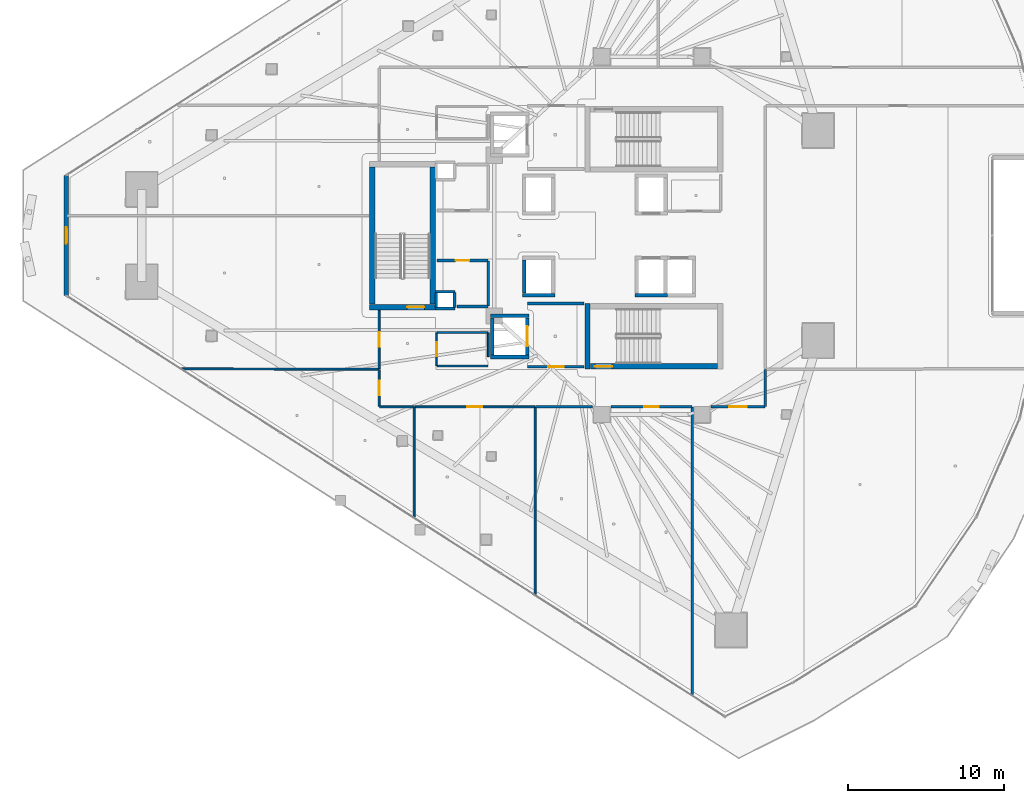
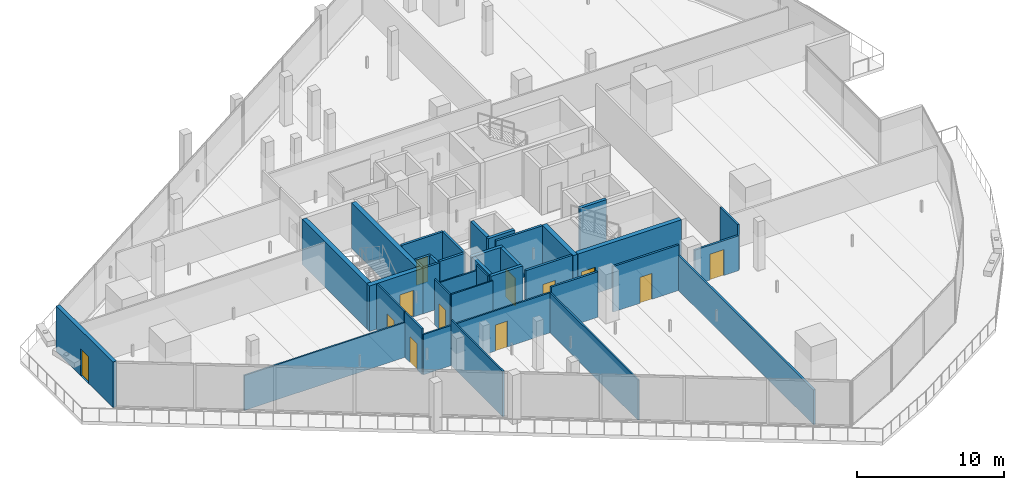
# One storey, part 27 of 42: 38 walls, 12 doors, 12 openings.
"""IFC4 building model written with IfcOpenShell, lengths in metres."""

from ifc_helpers import new_model, si_unit, direction, frame, frame_2d, origin, place, context, subcontext, project, spatial, rectangle, extrude, material, layer, layer_set, type_object, element, fill, save


model = new_model("IFC4")

# Units and contexts
model_context = context("Model", 3, precision=1e-05, world=origin(), true_north=direction((0.0, 1.0)))
body_context = subcontext(model_context, "Body", "Model", "MODEL_VIEW")
ifc_project = project(units=[si_unit("LENGTHUNIT", "METRE"), si_unit("AREAUNIT", "SQUARE_METRE"), si_unit("VOLUMEUNIT", "CUBIC_METRE"), si_unit("PLANEANGLEUNIT", "RADIAN"), si_unit("MASSUNIT", "GRAM", prefix="KILO")], contexts=[model_context])

# Site, building, storey
site_placement = place(None, origin())
site = spatial("IfcSite", under=ifc_project, at=site_placement, CompositionType="ELEMENT")
building_placement = place(site_placement, origin())
building = spatial("IfcBuilding", under=site, at=building_placement, Name="Qorvath Tower", CompositionType="ELEMENT")
storey_placement = place(building_placement, frame((0.0, 0.0, 117.89990234375)))
storey = spatial("IfcBuildingStorey", under=building, at=storey_placement, Name="L26", CompositionType="ELEMENT", Elevation=117.89990234375)

# Walls
ifc_material_1 = material(Name="Gypsum shaftliner on steel studs", Category="steel")
ifc_layer_1 = layer(ifc_material_1, 0.179931640625)
ifc_layer_set_1 = layer_set([ifc_layer_1], Name="FW-LOBBY")
wall_type_1 = type_object("IfcWallType", Name="FW-LOBBY", PredefinedType="PARTITIONING", material=ifc_layer_set_1)
for number, where, z_axis, x_axis, name in (
    (1, (-32.989990234375, -4.675048828125, 0.0), (0.0, 0.0, 1.0), (-1.0, 0.0, 0.0), "MEP Riser Shaft Enclosure Wall S-L26-S"),
    (2, (-34.260009765625, -3.594970703125, 0.0), (0.0, 0.0, 1.0), (1.0, 0.0, 0.0), "MEP Riser Shaft Enclosure Wall S-L26-N"),
):
    element("IfcWall", number, at=place(storey_placement, frame(where, z_axis=z_axis, x_axis=x_axis)), inside=storey, type_object=wall_type_1, Name=name, PredefinedType="PARTITIONING", context=body_context, shape_type="SweptSolid", body=[
        extrude(rectangle(XDim=1.27001953125, YDim=0.179931640625, at=frame_2d((0.635009765625, 0.0))), origin(), (0.0, 0.0, 1.0), 3.77001953125),
    ])
for number, where, z_axis, x_axis, name in (
    (3, (-34.205078125, -4.610107421875, 0.0), (0.0, 0.0, 1.0), (0.0, 1.0, 0.0), "MEP Riser Shaft Enclosure Wall S-L26-W"),
    (4, (-33.044921875, -3.659912109375, 0.0), (0.0, 0.0, 1.0), (0.0, -1.0, 0.0), "MEP Riser Shaft Enclosure Wall S-L26-E"),
):
    element("IfcWall", number, at=place(storey_placement, frame(where, z_axis=z_axis, x_axis=x_axis)), inside=storey, type_object=wall_type_1, Name=name, PredefinedType="PARTITIONING", context=body_context, shape_type="SweptSolid", body=[
        extrude(rectangle(XDim=0.9501953125, YDim=0.179931640625, at=frame_2d((0.47509765625, 0.0))), origin(), (0.0, 0.0, 1.0), 3.77001953125),
    ])

# Wall, opening, door
wall_1_placement = place(storey_placement, frame((-28.35498046875, -8.39990234375, 0.0), z_axis=(0.0, 0.0, 1.0), x_axis=(1.0, 0.0, 0.0)))
wall_1 = element("IfcWall", 5, at=wall_1_placement, inside=storey, type_object=wall_type_1, Name="Interior Partition IW-T1-L26-003", PredefinedType="PARTITIONING", context=body_context, shape_type="SweptSolid", body=[
    extrude(rectangle(XDim=3.6220703125, YDim=0.179931640625, at=frame_2d((1.81103515625, 0.0))), origin(), (0.0, 0.0, 1.0), 3.77001953125),
])
opening_1_placement = place(wall_1_placement, frame((1.31103515625, 0.0, 0.0)))
opening_1 = element("IfcOpeningElement", 6, at=opening_1_placement, cuts=wall_1, Name="Opening D-T1-L26-16", PredefinedType="OPENING", context=body_context, shape_type="SweptSolid", body=[
    extrude(rectangle(XDim=1.0, YDim=2.14990234375, at=frame_2d((0.5, 1.074951171875))), frame((0.0, 0.10009765625, 0.0), z_axis=(0.0, -1.0, 0.0), x_axis=(1.0, 0.0, 0.0)), (0.0, 0.0, 1.0), 0.199951171875),
])
ifc_material_2 = material(Name="Painted galvanised hollow metal", Category="steel")
door_type_1 = type_object("IfcDoorType", Name="FD-60", OperationType="NOTDEFINED", PredefinedType="DOOR", material=ifc_material_2)
door_1_placement = place(opening_1_placement, origin())
door_1 = element("IfcDoor", 7, at=door_1_placement, inside=storey, type_object=door_type_1, Name="Lobby Fire Service Elevator South Door D-T1-L26-16", OperationType="SINGLE_SWING_LEFT", OverallHeight=2.14990234375, OverallWidth=1.0, PredefinedType="DOOR", context=body_context, shape_type="SweptSolid", body=[
    extrude(rectangle(XDim=1.0, YDim=2.14990234375, at=frame_2d((0.5, 1.074951171875))), frame((0.0, 0.02490234375, 0.0), z_axis=(0.0, -1.0, 0.0), x_axis=(1.0, 0.0, 0.0)), (0.0, 0.0, 1.0), 0.050048828125),
])
fill(opening_1, door_1)

# Walls
wall_2_placement = place(storey_placement, frame((-24.73291015625, -4.35009765625, 0.0), z_axis=(0.0, 0.0, 1.0), x_axis=(-1.0, 0.0, 0.0)))
element("IfcWall", 8, at=wall_2_placement, inside=storey, type_object=wall_type_1, Name="Interior Partition IW-T1-L26-004", PredefinedType="PARTITIONING", context=body_context, shape_type="SweptSolid", body=[
    extrude(rectangle(XDim=3.6220703125, YDim=0.179931640625, at=frame_2d((1.81103515625, 0.0))), origin(), (0.0, 0.0, 1.0), 3.77001953125),
])
wall_3_placement = place(storey_placement, frame((-32.8798828125, -4.5400390625, 0.0), z_axis=(0.0, 0.0, 1.0), x_axis=(1.0, 0.0, 0.0)))
element("IfcWall", 9, at=wall_3_placement, inside=storey, type_object=wall_type_1, Name="Interior Partition IW-T1-L26-018", PredefinedType="PARTITIONING", context=body_context, shape_type="SweptSolid", body=[
    extrude(rectangle(XDim=1.97509765625, YDim=0.179931640625, at=frame_2d((0.987548828125, 0.0))), origin(), (0.0, 0.0, 1.0), 3.77001953125),
])
wall_4_placement = place(storey_placement, frame((-30.8798828125, -4.514892578125, 0.0), z_axis=(0.0, 0.0, 1.0), x_axis=(0.0, 1.0, 0.0)))
element("IfcWall", 10, at=wall_4_placement, inside=storey, type_object=wall_type_1, Name="Interior Partition IW-T1-L26-019", PredefinedType="PARTITIONING", context=body_context, shape_type="SweptSolid", body=[
    extrude(rectangle(XDim=2.889892578125, YDim=0.179931640625, at=frame_2d((1.44482421875, 0.0))), origin(), (0.0, 0.0, 1.0), 3.77001953125),
])

# Wall, opening, door
wall_5_placement = place(storey_placement, frame((-30.90478515625, -1.60009765625, 0.0), z_axis=(0.0, 0.0, 1.0), x_axis=(-1.0, 0.0, 0.0)))
wall_5 = element("IfcWall", 11, at=wall_5_placement, inside=storey, type_object=wall_type_1, Name="Interior Partition IW-T1-L26-020", PredefinedType="PARTITIONING", context=body_context, shape_type="SweptSolid", body=[
    extrude(rectangle(XDim=3.25, YDim=0.179931640625, at=frame_2d((1.625, 0.0))), origin(), (0.0, 0.0, 1.0), 3.77001953125),
])
opening_2_placement = place(wall_5_placement, frame((1.18505859375, 0.0, 0.0)))
opening_2 = element("IfcOpeningElement", 12, at=opening_2_placement, cuts=wall_5, Name="Opening D-T1-L26-05", PredefinedType="OPENING", context=body_context, shape_type="SweptSolid", body=[
    extrude(rectangle(XDim=0.8798828125, YDim=2.10009765625, at=frame_2d((0.43994140625, 1.050048828125))), frame((0.0, 0.10009765625, 0.0), z_axis=(0.0, -1.0, 0.0), x_axis=(1.0, 0.0, 0.0)), (0.0, 0.0, 1.0), 0.199951171875),
])
ifc_material_3 = material(Name="Painted galvanised hollow metal", Category="steel")
door_type_2 = type_object("IfcDoorType", Name="FD-60N", OperationType="NOTDEFINED", PredefinedType="DOOR", material=ifc_material_3)
door_2_placement = place(opening_2_placement, origin())
door_2 = element("IfcDoor", 13, at=door_2_placement, inside=storey, type_object=door_type_2, Name="Core housekeeping store L26 Door D-T1-L26-05", OperationType="SINGLE_SWING_RIGHT", OverallHeight=2.10009765625, OverallWidth=0.8798828125, PredefinedType="DOOR", context=body_context, shape_type="SweptSolid", body=[
    extrude(rectangle(XDim=0.8798828125, YDim=2.10009765625, at=frame_2d((0.43994140625, 1.050048828125))), frame((0.0, 0.02490234375, 0.0), z_axis=(0.0, -1.0, 0.0), x_axis=(1.0, 0.0, 0.0)), (0.0, 0.0, 1.0), 0.050048828125),
])
fill(opening_2, door_2)

# Walls
ifc_material_4 = material(Name="Double acoustic gypsum board on steel studs", Category="steel")
ifc_layer_2 = layer(ifc_material_4, 0.159912109375)
ifc_layer_set_2 = layer_set([ifc_layer_2], Name="IW-ACOUSTIC-160")
wall_type_2 = type_object("IfcWallType", Name="IW-ACOUSTIC-160", PredefinedType="PARTITIONING", material=ifc_layer_set_2)
wall_6_placement = place(storey_placement, frame((-24.18994140625, -10.9580078125, 0.0), z_axis=(0.0, 0.0, 1.0), x_axis=(-1.0, 0.0, 0.0)))
element("IfcWall", 14, at=wall_6_placement, inside=storey, type_object=wall_type_2, Name="Interior Partition IW-T1-L26-032", PredefinedType="PARTITIONING", context=body_context, shape_type="SweptSolid", body=[
    extrude(rectangle(XDim=3.65576171875, YDim=0.159912109375, at=frame_2d((1.827880859375, 0.0))), origin(), (0.0, 0.0, 1.0), 3.77001953125),
])
wall_7_placement = place(storey_placement, frame((-17.816162109375, -29.38037109375, 0.0), z_axis=(0.0, 0.0, 1.0), x_axis=(0.0, 1.0, 0.0)))
element("IfcWall", 15, at=wall_7_placement, inside=storey, type_object=wall_type_2, Name="Interior Partition IW-T1-L26-033", PredefinedType="PARTITIONING", context=body_context, shape_type="SweptSolid", body=[
    extrude(rectangle(XDim=18.3974609375, YDim=0.159912109375, at=frame_2d((9.19873046875, 0.0))), origin(), (0.0, 0.0, 1.0), 2.885009765625),
])

# Wall, opening, door
wall_8_placement = place(storey_placement, frame((-17.84130859375, -10.9580078125, 0.0), z_axis=(0.0, 0.0, 1.0), x_axis=(-1.0, 0.0, 0.0)))
wall_8 = element("IfcWall", 16, at=wall_8_placement, inside=storey, type_object=wall_type_2, Name="Interior Partition IW-T1-L26-034", PredefinedType="PARTITIONING", context=body_context, shape_type="SweptSolid", body=[
    extrude(rectangle(XDim=5.168701171875, YDim=0.159912109375, at=frame_2d((2.58447265625, 0.0))), origin(), (0.0, 0.0, 1.0), 3.77001953125),
])
opening_3_placement = place(wall_8_placement, frame((2.109375, 0.0, 0.0)))
opening_3 = element("IfcOpeningElement", 17, at=opening_3_placement, cuts=wall_8, Name="Opening D-T1-L26-10", PredefinedType="OPENING", context=body_context, shape_type="SweptSolid", body=[
    extrude(rectangle(XDim=0.949951171875, YDim=2.14990234375, at=frame_2d((0.47509765625, 1.074951171875))), frame((0.0, 0.08984375, 0.0), z_axis=(0.0, -1.0, 0.0), x_axis=(1.0, 0.0, 0.0)), (0.0, 0.0, 1.0), 0.179931640625),
])
ifc_material_5 = material(Name="Solid-core American white oak veneer", Category="wood")
door_type_3 = type_object("IfcDoorType", Name="D-01", OperationType="NOTDEFINED", PredefinedType="DOOR", material=ifc_material_5)
door_3_placement = place(opening_3_placement, origin())
door_3 = element("IfcDoor", 18, at=door_3_placement, inside=storey, type_object=door_type_3, Name="L26-05 Breakout Reading Alcove Door D-T1-L26-10", OperationType="SINGLE_SWING_LEFT", OverallHeight=2.14990234375, OverallWidth=0.949951171875, PredefinedType="DOOR", context=body_context, shape_type="SweptSolid", body=[
    extrude(rectangle(XDim=0.949951171875, YDim=2.14990234375, at=frame_2d((0.47509765625, 1.074951171875))), frame((0.0, 0.02490234375, 0.0), z_axis=(0.0, -1.0, 0.0), x_axis=(1.0, 0.0, 0.0)), (0.0, 0.0, 1.0), 0.050048828125),
])
fill(opening_3, door_3)

# Wall
wall_9_placement = place(storey_placement, frame((-13.14208984375, -8.574951171875, 0.0), z_axis=(0.0, 0.0, 1.0), x_axis=(0.0, -1.0, 0.0)))
element("IfcWall", 19, at=wall_9_placement, inside=storey, type_object=wall_type_2, Name="Interior Partition IW-T1-L26-036", PredefinedType="PARTITIONING", context=body_context, shape_type="SweptSolid", body=[
    extrude(rectangle(XDim=2.358154296875, YDim=0.159912109375, at=frame_2d((1.17919921875, 0.0))), origin(), (0.0, 0.0, 1.0), 3.77001953125),
])

# Wall, opening, door
wall_10_placement = place(storey_placement, frame((-13.1669921875, -10.9580078125, 0.0), z_axis=(0.0, 0.0, 1.0), x_axis=(-1.0, 0.0, 0.0)))
wall_10 = element("IfcWall", 20, at=wall_10_placement, inside=storey, type_object=wall_type_2, Name="Interior Partition IW-T1-L26-037", PredefinedType="PARTITIONING", context=body_context, shape_type="SweptSolid", body=[
    extrude(rectangle(XDim=3.443115234375, YDim=0.159912109375, at=frame_2d((1.7216796875, 0.0))), origin(), (0.0, 0.0, 1.0), 2.885009765625),
])
opening_4_placement = place(wall_10_placement, frame((1.171630859375, 0.0, 0.0)))
opening_4 = element("IfcOpeningElement", 21, at=opening_4_placement, cuts=wall_10, Name="Opening D-T1-L26-11", PredefinedType="OPENING", context=body_context, shape_type="SweptSolid", body=[
    extrude(rectangle(XDim=1.10009765625, YDim=2.14990234375, at=frame_2d((0.550048828125, 1.074951171875))), frame((0.0, 0.08984375, 0.0), z_axis=(0.0, -1.0, 0.0), x_axis=(1.0, 0.0, 0.0)), (0.0, 0.0, 1.0), 0.179931640625),
])
ifc_material_6 = material(Name="Anodised aluminium acoustic framed glass", Category="aluminium")
door_type_4 = type_object("IfcDoorType", Name="D-03", OperationType="NOTDEFINED", PredefinedType="DOOR", material=ifc_material_6)
door_4_placement = place(opening_4_placement, origin())
door_4 = element("IfcDoor", 22, at=door_4_placement, inside=storey, type_object=door_type_4, Name="L26-06 Digital Visualization Suite Door D-T1-L26-11", OperationType="SINGLE_SWING_RIGHT", OverallHeight=2.14990234375, OverallWidth=1.10009765625, PredefinedType="DOOR", context=body_context, shape_type="SweptSolid", body=[
    extrude(rectangle(XDim=1.10009765625, YDim=2.14990234375, at=frame_2d((0.550048828125, 1.074951171875))), frame((0.0, 0.02490234375, 0.0), z_axis=(0.0, -1.0, 0.0), x_axis=(1.0, 0.0, 0.0)), (0.0, 0.0, 1.0), 0.050048828125),
])
fill(opening_4, door_4)

# Wall
ifc_material_7 = material(Name="Gypsum board on metal studs with mineral wool", Category="gypsum")
ifc_layer_3 = layer(ifc_material_7, 0.125)
ifc_layer_set_3 = layer_set([ifc_layer_3], Name="IW-PART-125")
wall_type_3 = type_object("IfcWallType", Name="IW-PART-125", PredefinedType="PARTITIONING", material=ifc_layer_set_3)
wall_11_placement = place(storey_placement, frame((-35.640380859375, -10.9580078125, 0.0), z_axis=(0.0, 0.0, 1.0), x_axis=(-1.0, 0.0, 0.0)))
element("IfcWall", 23, at=wall_11_placement, inside=storey, type_object=wall_type_3, Name="Interior Partition IW-T1-L26-026", PredefinedType="PARTITIONING", context=body_context, shape_type="SweptSolid", body=[
    extrude(rectangle(XDim=2.192626953125, YDim=0.125, at=frame_2d((1.09619140625, 0.0))), origin(), (0.0, 0.0, 1.0), 3.333984375),
])

# Wall, opening, door
wall_12_placement = place(storey_placement, frame((-37.85791015625, -10.93310546875, 0.0), z_axis=(0.0, 0.0, 1.0), x_axis=(0.0, 1.0, 0.0)))
wall_12 = element("IfcWall", 24, at=wall_12_placement, inside=storey, type_object=wall_type_3, Name="Interior Partition IW-T1-L26-027", PredefinedType="PARTITIONING", context=body_context, shape_type="SweptSolid", body=[
    extrude(rectangle(XDim=2.358154296875, YDim=0.125, at=frame_2d((1.17919921875, 0.0))), origin(), (0.0, 0.0, 1.0), 3.77001953125),
])
opening_5_placement = place(wall_12_placement, frame((0.7041015625, 0.0, 0.0)))
opening_5 = element("IfcOpeningElement", 25, at=opening_5_placement, cuts=wall_12, Name="Opening D-T1-L26-08", PredefinedType="OPENING", context=body_context, shape_type="SweptSolid", body=[
    extrude(rectangle(XDim=0.949951171875, YDim=2.14990234375, at=frame_2d((0.47509765625, 1.074951171875))), frame((0.0, 0.072509765625, 0.0), z_axis=(0.0, -1.0, 0.0), x_axis=(1.0, 0.0, 0.0)), (0.0, 0.0, 1.0), 0.14501953125),
])
door_5_placement = place(opening_5_placement, origin())
door_5 = element("IfcDoor", 26, at=door_5_placement, inside=storey, type_object=door_type_3, Name="L26-03 Design Pin-Up Atelier Door D-T1-L26-08", OperationType="SINGLE_SWING_LEFT", OverallHeight=2.14990234375, OverallWidth=0.949951171875, PredefinedType="DOOR", context=body_context, shape_type="SweptSolid", body=[
    extrude(rectangle(XDim=0.949951171875, YDim=2.14990234375, at=frame_2d((0.47509765625, 1.074951171875))), frame((0.0, 0.02490234375, 0.0), z_axis=(0.0, -1.0, 0.0), x_axis=(1.0, 0.0, 0.0)), (0.0, 0.0, 1.0), 0.050048828125),
])
fill(opening_5, door_5)

# Walls
wall_13_placement = place(storey_placement, frame((-37.8828125, -8.550048828125, 0.0), z_axis=(0.0, 0.0, 1.0), x_axis=(-0.999999323514, 0.001163173127, 0.0)))
element("IfcWall", 27, at=wall_13_placement, inside=storey, type_object=wall_type_3, Name="Interior Partition IW-T1-L26-028", PredefinedType="PARTITIONING", context=body_context, shape_type="SweptSolid", body=[
    extrude(rectangle(XDim=12.593505859375, YDim=0.125, at=frame_2d((6.296875, 0.0))), origin(), (0.0, 0.0, 1.0), 2.889892578125),
])
wall_14_placement = place(storey_placement, frame((-35.615478515625, -18.00439453125, 0.0), z_axis=(0.0, 0.0, 1.0), x_axis=(0.0, 1.0, 0.0)))
element("IfcWall", 28, at=wall_14_placement, inside=storey, type_object=wall_type_3, Name="Interior Partition IW-T1-L26-029", PredefinedType="PARTITIONING", context=body_context, shape_type="SweptSolid", body=[
    extrude(rectangle(XDim=7.021484375, YDim=0.125, at=frame_2d((3.5107421875, 0.0))), origin(), (0.0, 0.0, 1.0), 3.77001953125),
])

# Wall, opening, door
wall_15_placement = place(storey_placement, frame((-27.90380859375, -10.9580078125, 0.0), z_axis=(0.0, 0.0, 1.0), x_axis=(-1.0, 0.0, 0.0)))
wall_15 = element("IfcWall", 29, at=wall_15_placement, inside=storey, type_object=wall_type_3, Name="Interior Partition IW-T1-L26-030", PredefinedType="PARTITIONING", context=body_context, shape_type="SweptSolid", body=[
    extrude(rectangle(XDim=7.678955078125, YDim=0.125, at=frame_2d((3.83935546875, 0.0))), origin(), (0.0, 0.0, 1.0), 3.333984375),
])
opening_6_placement = place(wall_15_placement, frame((3.364501953125, 0.0, 0.0)))
opening_6 = element("IfcOpeningElement", 30, at=opening_6_placement, cuts=wall_15, Name="Opening D-T1-L26-09", PredefinedType="OPENING", context=body_context, shape_type="SweptSolid", body=[
    extrude(rectangle(XDim=0.949951171875, YDim=2.14990234375, at=frame_2d((0.47509765625, 1.074951171875))), frame((0.0, 0.072509765625, 0.0), z_axis=(0.0, -1.0, 0.0), x_axis=(1.0, 0.0, 0.0)), (0.0, 0.0, 1.0), 0.14501953125),
])
door_6_placement = place(opening_6_placement, origin())
door_6 = element("IfcDoor", 31, at=door_6_placement, inside=storey, type_object=door_type_3, Name="L26-04 Executive Partner Office Door D-T1-L26-09", OperationType="SINGLE_SWING_RIGHT", OverallHeight=2.14990234375, OverallWidth=0.949951171875, PredefinedType="DOOR", context=body_context, shape_type="SweptSolid", body=[
    extrude(rectangle(XDim=0.949951171875, YDim=2.14990234375, at=frame_2d((0.47509765625, 1.074951171875))), frame((0.0, 0.02490234375, 0.0), z_axis=(0.0, -1.0, 0.0), x_axis=(1.0, 0.0, 0.0)), (0.0, 0.0, 1.0), 0.050048828125),
])
fill(opening_6, door_6)

# Wall
wall_16_placement = place(storey_placement, frame((-27.878662109375, -22.94921875, 0.0), z_axis=(0.0, 0.0, 1.0), x_axis=(0.0, 1.0, 0.0)))
element("IfcWall", 32, at=wall_16_placement, inside=storey, type_object=wall_type_3, Name="Interior Partition IW-T1-L26-031", PredefinedType="PARTITIONING", context=body_context, shape_type="SweptSolid", body=[
    extrude(rectangle(XDim=11.96630859375, YDim=0.125, at=frame_2d((5.983154296875, 0.0))), origin(), (0.0, 0.0, 1.0), 3.333984375),
])

# Wall, opening, door
wall_17_placement = place(storey_placement, frame((-37.85791015625, -8.51708984375, 0.0), z_axis=(0.0, 0.0, 1.0), x_axis=(0.0, 1.0, 0.0)))
wall_17 = element("IfcWall", 33, at=wall_17_placement, inside=storey, type_object=wall_type_3, Name="Interior Partition IW-T1-L26-040", PredefinedType="PARTITIONING", context=body_context, shape_type="SweptSolid", body=[
    extrude(rectangle(XDim=3.73388671875, YDim=0.125, at=frame_2d((1.866943359375, 0.0))), origin(), (0.0, 0.0, 1.0), 3.77001953125),
])
opening_7_placement = place(wall_17_placement, frame((1.391845703125, 0.0, 0.0)))
opening_7 = element("IfcOpeningElement", 34, at=opening_7_placement, cuts=wall_17, Name="Opening D-T1-L26-13", PredefinedType="OPENING", context=body_context, shape_type="SweptSolid", body=[
    extrude(rectangle(XDim=0.949951171875, YDim=2.14990234375, at=frame_2d((0.47509765625, 1.074951171875))), frame((0.0, 0.072509765625, 0.0), z_axis=(0.0, -1.0, 0.0), x_axis=(1.0, 0.0, 0.0)), (0.0, 0.0, 1.0), 0.14501953125),
])
door_7_placement = place(opening_7_placement, origin())
door_7 = element("IfcDoor", 35, at=door_7_placement, inside=storey, type_object=door_type_3, Name="L26-08 Engineering Documentation Suite Door D-T1-L26-13", OperationType="SINGLE_SWING_RIGHT", OverallHeight=2.14990234375, OverallWidth=0.949951171875, PredefinedType="DOOR", context=body_context, shape_type="SweptSolid", body=[
    extrude(rectangle(XDim=0.949951171875, YDim=2.14990234375, at=frame_2d((0.47509765625, 1.074951171875))), frame((0.0, 0.02490234375, 0.0), z_axis=(0.0, -1.0, 0.0), x_axis=(1.0, 0.0, 0.0)), (0.0, 0.0, 1.0), 0.050048828125),
])
fill(opening_7, door_7)

ifc_material_8 = material(Name="Moisture-resistant cement board on metal studs", Category="gypsum")
ifc_layer_4 = layer(ifc_material_8, 0.110107421875)
ifc_layer_set_4 = layer_set([ifc_layer_4], Name="IW-WC-110")
wall_type_4 = type_object("IfcWallType", Name="IW-WC-110", PredefinedType="PARTITIONING", material=ifc_layer_set_4)
wall_18_placement = place(storey_placement, frame((-34.179931640625, -6.22509765625, 0.0), z_axis=(0.0, 0.0, 1.0), x_axis=(0.0, -1.0, 0.0)))
wall_18 = element("IfcWall", 36, at=wall_18_placement, inside=storey, type_object=wall_type_4, Name="Interior Partition IW-T1-L26-009", PredefinedType="PARTITIONING", context=body_context, shape_type="SweptSolid", body=[
    extrude(rectangle(XDim=2.10009765625, YDim=0.110107421875, at=frame_2d((1.050048828125, 0.0))), origin(), (0.0, 0.0, 1.0), 3.77001953125),
])
opening_8_placement = place(wall_18_placement, frame((0.610107421875, 0.0, 0.0)))
opening_8 = element("IfcOpeningElement", 37, at=opening_8_placement, cuts=wall_18, Name="Opening D-T1-L26-02", PredefinedType="OPENING", context=body_context, shape_type="SweptSolid", body=[
    extrude(rectangle(XDim=0.8798828125, YDim=2.10009765625, at=frame_2d((0.43994140625, 1.050048828125))), frame((0.0, 0.06494140625, 0.0), z_axis=(0.0, -1.0, 0.0), x_axis=(1.0, 0.0, 0.0)), (0.0, 0.0, 1.0), 0.130126953125),
])
ifc_material_9 = material(Name="Solid-core oak with acoustic drop seal", Category="wood")
door_type_5 = type_object("IfcDoorType", Name="D-02", OperationType="NOTDEFINED", PredefinedType="DOOR", material=ifc_material_9)
door_8_placement = place(opening_8_placement, origin())
door_8 = element("IfcDoor", 38, at=door_8_placement, inside=storey, type_object=door_type_5, Name="Accessible WC South L26 Door D-T1-L26-02", OperationType="SINGLE_SWING_LEFT", OverallHeight=2.10009765625, OverallWidth=0.8798828125, PredefinedType="DOOR", context=body_context, shape_type="SweptSolid", body=[
    extrude(rectangle(XDim=0.8798828125, YDim=2.10009765625, at=frame_2d((0.43994140625, 1.050048828125))), frame((0.0, 0.02490234375, 0.0), z_axis=(0.0, -1.0, 0.0), x_axis=(1.0, 0.0, 0.0)), (0.0, 0.0, 1.0), 0.050048828125),
])
fill(opening_8, door_8)

# Walls
wall_19_placement = place(storey_placement, frame((-34.15478515625, -8.35009765625, 0.0), z_axis=(0.0, 0.0, 1.0), x_axis=(1.0, 0.0, 0.0)))
element("IfcWall", 39, at=wall_19_placement, inside=storey, type_object=wall_type_4, Name="Interior Partition IW-T1-L26-010", PredefinedType="PARTITIONING", context=body_context, shape_type="SweptSolid", body=[
    extrude(rectangle(XDim=3.25, YDim=0.110107421875, at=frame_2d((1.625, 0.0))), origin(), (0.0, 0.0, 1.0), 3.77001953125),
])
wall_20_placement = place(storey_placement, frame((-30.8798828125, -7.742919921875, 0.0), z_axis=(0.0, 0.0, 1.0), x_axis=(0.0, 1.0, 0.0)))
element("IfcWall", 40, at=wall_20_placement, inside=storey, type_object=wall_type_4, Name="Interior Partition IW-T1-L26-011", PredefinedType="PARTITIONING", context=body_context, shape_type="SweptSolid", body=[
    extrude(rectangle(XDim=1.517822265625, YDim=0.110107421875, at=frame_2d((0.7587890625, 0.0))), origin(), (0.0, 0.0, 1.0), 3.77001953125),
])
wall_21_placement = place(storey_placement, frame((-30.90478515625, -6.199951171875, 0.0), z_axis=(0.0, 0.0, 1.0), x_axis=(-1.0, 0.0, 0.0)))
element("IfcWall", 41, at=wall_21_placement, inside=storey, type_object=wall_type_4, Name="Interior Partition IW-T1-L26-012", PredefinedType="PARTITIONING", context=body_context, shape_type="SweptSolid", body=[
    extrude(rectangle(XDim=3.25, YDim=0.110107421875, at=frame_2d((1.625, 0.0))), origin(), (0.0, 0.0, 1.0), 3.333984375),
])
ifc_material_10 = material(Name="Concrete C60/75", Category="concrete")
ifc_layer_5 = layer(ifc_material_10, 0.260009765625)
ifc_layer_set_5 = layer_set([ifc_layer_5], Name="SW-SHAFT")
wall_type_5 = type_object("IfcWallType", Name="SW-SHAFT", PredefinedType="SHEAR", material=ifc_layer_set_5)
for number, where, z_axis, x_axis, name in (
    (42, (-28.260009765625, -7.77001953125, 0.0), (0.0, 0.0, 1.0), (-1.0, 0.0, 0.0), "Hoistway Wall FSAE-2 L26 S"),
    (43, (-30.739990234375, -5.1298828125, 0.0), (0.0, 0.0, 1.0), (1.0, 0.0, 0.0), "Hoistway Wall FSAE-2 L26 N"),
):
    element("IfcWall", number, at=place(storey_placement, frame(where, z_axis=z_axis, x_axis=x_axis)), inside=storey, type_object=wall_type_5, Name=name, PredefinedType="SHEAR", context=body_context, shape_type="SweptSolid", body=[
        extrude(rectangle(XDim=2.47998046875, YDim=0.239990234375, at=frame_2d((1.239990234375, 0.0))), origin(), (0.0, 0.0, 1.0), 3.77001953125),
    ])
wall_22_placement = place(storey_placement, frame((-30.6201171875, -7.637939453125, 0.0), z_axis=(0.0, 0.0, 1.0), x_axis=(0.0, 1.0, 0.0)))
element("IfcWall", 44, at=wall_22_placement, inside=storey, type_object=wall_type_5, Name="Hoistway Wall FSAE-2 L26 W", PredefinedType="SHEAR", context=body_context, shape_type="SweptSolid", body=[
    extrude(rectangle(XDim=2.3759765625, YDim=0.239990234375, at=frame_2d((1.18798828125, 0.0))), origin(), (0.0, 0.0, 1.0), 3.77001953125),
])

# Wall, opening, door
wall_23_placement = place(storey_placement, frame((-28.3798828125, -5.261962890625, 0.0), z_axis=(0.0, 0.0, 1.0), x_axis=(0.0, -1.0, 0.0)))
wall_23 = element("IfcWall", 45, at=wall_23_placement, inside=storey, type_object=wall_type_5, Name="Hoistway Wall FSAE-2 L26 E", PredefinedType="SHEAR", context=body_context, shape_type="SweptSolid", body=[
    extrude(rectangle(XDim=2.3759765625, YDim=0.239990234375, at=frame_2d((1.18798828125, 0.0))), origin(), (0.0, 0.0, 1.0), 3.77001953125),
])
opening_9_placement = place(wall_23_placement, frame((0.5380859375, 0.0, 0.0)))
opening_9 = element("IfcOpeningElement", 46, at=opening_9_placement, cuts=wall_23, Name="Opening LD-FSAE-2-L26", PredefinedType="OPENING", context=body_context, shape_type="SweptSolid", body=[
    extrude(rectangle(XDim=1.300048828125, YDim=2.300048828125, at=frame_2d((0.64990234375, 1.14990234375))), frame((0.0, 0.1298828125, 0.0), z_axis=(0.0, -1.0, 0.0), x_axis=(1.0, 0.0, 0.0)), (0.0, 0.0, 1.0), 0.260009765625),
])
ifc_material_11 = material(Name="Brushed stainless steel AISI 316", Category="steel")
door_type_6 = type_object("IfcDoorType", Name="LD-02", OperationType="NOTDEFINED", PredefinedType="DOOR", material=ifc_material_11)
door_9_placement = place(opening_9_placement, origin())
door_9 = element("IfcDoor", 47, at=door_9_placement, inside=storey, type_object=door_type_6, Name="Elevator Landing Sliding Door LD-FSAE-2-L26", OperationType="DOUBLE_DOOR_SLIDING", OverallHeight=2.300048828125, OverallWidth=1.300048828125, PredefinedType="DOOR", context=body_context, shape_type="SweptSolid", body=[
    extrude(rectangle(XDim=1.300048828125, YDim=2.300048828125, at=frame_2d((0.64990234375, 1.14990234375))), frame((0.0, 0.02490234375, 0.0), z_axis=(0.0, -1.0, 0.0), x_axis=(1.0, 0.0, 0.0)), (0.0, 0.0, 1.0), 0.050048828125),
])
fill(opening_9, door_9)

# Walls
wall_24_placement = place(storey_placement, frame((-26.610107421875, -3.820068359375, 0.0), z_axis=(0.0, 0.0, 1.0), x_axis=(-1.0, 0.0, 0.0)))
element("IfcWall", 48, at=wall_24_placement, inside=storey, type_object=wall_type_5, Name="Hoistway Wall PS-2 L26 S", PredefinedType="SHEAR", context=body_context, shape_type="SweptSolid", body=[
    extrude(rectangle(XDim=2.079833984375, YDim=0.239990234375, at=frame_2d((1.0400390625, 0.0))), origin(), (0.0, 0.0, 1.0), 3.77001953125),
])
wall_25_placement = place(storey_placement, frame((-28.570068359375, -3.68798828125, 0.0), z_axis=(0.0, 0.0, 1.0), x_axis=(0.0, 1.0, 0.0)))
element("IfcWall", 49, at=wall_25_placement, inside=storey, type_object=wall_type_5, Name="Hoistway Wall PS-2 L26 W", PredefinedType="SHEAR", context=body_context, shape_type="SweptSolid", body=[
    extrude(rectangle(XDim=2.1259765625, YDim=0.239990234375, at=frame_2d((1.06298828125, 0.0))), origin(), (0.0, 0.0, 1.0), 3.77001953125),
])
wall_26_placement = place(storey_placement, frame((-19.409912109375, -3.820068359375, 0.0), z_axis=(0.0, 0.0, 1.0), x_axis=(-1.0, 0.0, 0.0)))
element("IfcWall", 50, at=wall_26_placement, inside=storey, type_object=wall_type_5, Name="Hoistway Wall PM-2 L26 S", PredefinedType="SHEAR", context=body_context, shape_type="SweptSolid", body=[
    extrude(rectangle(XDim=2.080078125, YDim=0.239990234375, at=frame_2d((1.0400390625, 0.0))), origin(), (0.0, 0.0, 1.0), 3.77001953125),
])
ifc_material_12 = material(Name="Concrete C60/75", Category="concrete")
ifc_layer_6 = layer(ifc_material_12, 0.35009765625)
ifc_layer_set_6 = layer_set([ifc_layer_6], Name="SW-STAIR")
wall_type_6 = type_object("IfcWallType", Name="SW-STAIR", PredefinedType="SHEAR", material=ifc_layer_set_6)
wall_27_placement = place(storey_placement, frame((-24.52490234375, -4.340087890625, 0.0), z_axis=(0.0, 0.0, 1.0), x_axis=(0.0, -1.0, 0.0)))
element("IfcWall", 51, at=wall_27_placement, inside=storey, type_object=wall_type_6, Name="Stair TS2 Shear Wall L26 NEAR", PredefinedType="SHEAR", context=body_context, shape_type="SweptSolid", body=[
    extrude(rectangle(XDim=4.2099609375, YDim=0.35009765625, at=frame_2d((2.10498046875, 0.0))), origin(), (0.0, 0.0, 1.0), 3.77001953125),
])

# Wall, opening, door
wall_28_placement = place(storey_placement, frame((-24.3349609375, -8.375, 0.0), z_axis=(0.0, 0.0, 1.0), x_axis=(1.0, 0.0, 0.0)))
wall_28 = element("IfcWall", 52, at=wall_28_placement, inside=storey, type_object=wall_type_6, Name="Stair TS2 Shear Wall L26 LEFT", PredefinedType="SHEAR", context=body_context, shape_type="SweptSolid", body=[
    extrude(rectangle(XDim=8.119873046875, YDim=0.35009765625, at=frame_2d((4.06005859375, 0.0))), origin(), (0.0, 0.0, 1.0), 3.77001953125),
])
opening_10_placement = place(wall_28_placement, frame((0.280029296875, 0.0, 0.0)))
opening_10 = element("IfcOpeningElement", 53, at=opening_10_placement, cuts=wall_28, Name="Opening D-TS2-L26", PredefinedType="OPENING", context=body_context, shape_type="SweptSolid", body=[
    extrude(rectangle(XDim=1.10009765625, YDim=2.199951171875, at=frame_2d((0.550048828125, 1.10009765625))), frame((0.0, 0.18505859375, 0.0), z_axis=(0.0, -1.0, 0.0), x_axis=(1.0, 0.0, 0.0)), (0.0, 0.0, 1.0), 0.3701171875),
])
ifc_material_13 = material(Name="Painted galvanised hollow metal", Category="steel")
door_type_7 = type_object("IfcDoorType", Name="FD-90", OperationType="NOTDEFINED", PredefinedType="DOOR", material=ifc_material_13)
door_10_placement = place(opening_10_placement, origin())
door_10 = element("IfcDoor", 54, at=door_10_placement, inside=storey, type_object=door_type_7, Name="Stair TS2 Fire Door L26", OperationType="SINGLE_SWING_LEFT", OverallHeight=2.199951171875, OverallWidth=1.10009765625, PredefinedType="DOOR", context=body_context, shape_type="SweptSolid", body=[
    extrude(rectangle(XDim=1.10009765625, YDim=2.199951171875, at=frame_2d((0.550048828125, 1.10009765625))), frame((0.0, 0.02490234375, 0.0), z_axis=(0.0, -1.0, 0.0), x_axis=(1.0, 0.0, 0.0)), (0.0, 0.0, 1.0), 0.050048828125),
])
fill(opening_10, door_10)

wall_29_placement = place(storey_placement, frame((-38.4599609375, -4.574951171875, 0.0), z_axis=(0.0, 0.0, 1.0), x_axis=(1.0, 0.0, 0.0)))
wall_29 = element("IfcWall", 55, at=wall_29_placement, inside=storey, type_object=wall_type_6, Name="Stair TS3 Shear Wall L26 NEAR", PredefinedType="SHEAR", context=body_context, shape_type="SweptSolid", body=[
    extrude(rectangle(XDim=4.2099609375, YDim=0.35009765625, at=frame_2d((2.10498046875, 0.0))), origin(), (0.0, 0.0, 1.0), 3.77001953125),
])
opening_11_placement = place(wall_29_placement, frame((2.389892578125, 0.0, 0.0)))
opening_11 = element("IfcOpeningElement", 56, at=opening_11_placement, cuts=wall_29, Name="Opening D-TS3-L26", PredefinedType="OPENING", context=body_context, shape_type="SweptSolid", body=[
    extrude(rectangle(XDim=1.10009765625, YDim=2.199951171875, at=frame_2d((0.550048828125, 1.10009765625))), frame((0.0, 0.18505859375, 0.0), z_axis=(0.0, -1.0, 0.0), x_axis=(1.0, 0.0, 0.0)), (0.0, 0.0, 1.0), 0.3701171875),
])
door_11_placement = place(opening_11_placement, origin())
door_11 = element("IfcDoor", 57, at=door_11_placement, inside=storey, type_object=door_type_7, Name="Stair TS3 Fire Door L26", OperationType="SINGLE_SWING_LEFT", OverallHeight=2.199951171875, OverallWidth=1.10009765625, PredefinedType="DOOR", context=body_context, shape_type="SweptSolid", body=[
    extrude(rectangle(XDim=1.10009765625, YDim=2.199951171875, at=frame_2d((0.550048828125, 1.10009765625))), frame((0.0, 0.02490234375, 0.0), z_axis=(0.0, -1.0, 0.0), x_axis=(1.0, 0.0, 0.0)), (0.0, 0.0, 1.0), 0.050048828125),
])
fill(opening_11, door_11)

# Walls
for number, where, z_axis, x_axis, name in (
    (58, (-34.425048828125, -4.385009765625, 0.0), (0.0, 0.0, 1.0), (0.0, 1.0, 0.0), "Stair TS3 Shear Wall L26 LEFT"),
    (59, (-38.284912109375, 4.385009765625, 0.0), (0.0, 0.0, 1.0), (0.0, -1.0, 0.0), "Stair TS3 Shear Wall L26 RIGHT"),
):
    element("IfcWall", number, at=place(storey_placement, frame(where, z_axis=z_axis, x_axis=x_axis)), inside=storey, type_object=wall_type_6, Name=name, PredefinedType="SHEAR", context=body_context, shape_type="SweptSolid", body=[
        extrude(rectangle(XDim=8.77001953125, YDim=0.35009765625, at=frame_2d((4.385009765625, 0.0))), origin(), (0.0, 0.0, 1.0), 3.77001953125),
    ])

# Wall, opening, door
ifc_material_14 = material(Name="Precast concrete C45/55", Category="concrete")
ifc_layer_7 = layer(ifc_material_14, 0.300048828125)
ifc_layer_set_7 = layer_set([ifc_layer_7], Name="WL-EW-LOG-300")
wall_type_7 = type_object("IfcWallType", Name="WL-EW-LOG-300", PredefinedType="SOLIDWALL", material=ifc_layer_set_7)
wall_30_placement = place(storey_placement, frame((-57.88916015625, -3.8486328125, 0.0), z_axis=(0.0, 0.0, 1.0), x_axis=(0.0, 1.0, 0.0)))
wall_30 = element("IfcWall", 60, at=wall_30_placement, inside=storey, type_object=wall_type_7, Name="Tower Precast Loggia Wall L26-1.1", PredefinedType="SOLIDWALL", context=body_context, shape_type="SweptSolid", body=[
    extrude(rectangle(XDim=7.697265625, YDim=0.300048828125, at=frame_2d((3.8486328125, 0.0))), origin(), (0.0, 0.0, 1.0), 3.77001953125),
])
opening_12_placement = place(wall_30_placement, frame((3.323486328125, 0.0, 0.0)))
opening_12 = element("IfcOpeningElement", 61, at=opening_12_placement, cuts=wall_30, Name="Opening ED-L26-01", PredefinedType="OPENING", context=body_context, shape_type="SweptSolid", body=[
    extrude(rectangle(XDim=1.050048828125, YDim=2.199951171875, at=frame_2d((0.52490234375, 1.10009765625))), frame((0.0, 0.16015625, 0.0), z_axis=(0.0, -1.0, 0.0), x_axis=(1.0, 0.0, 0.0)), (0.0, 0.0, 1.0), 0.320068359375),
])
ifc_material_15 = material(Name="Thermally broken aluminium glazed door", Category="aluminium")
door_type_8 = type_object("IfcDoorType", Name="ED-LOG", OperationType="NOTDEFINED", PredefinedType="DOOR", material=ifc_material_15)
door_12_placement = place(opening_12_placement, origin())
door_12 = element("IfcDoor", 62, at=door_12_placement, inside=storey, type_object=door_type_8, Name="L26 Recessed Loggia Access Door 1", OperationType="SINGLE_SWING_RIGHT", OverallHeight=2.199951171875, OverallWidth=1.050048828125, PredefinedType="DOOR", context=body_context, shape_type="SweptSolid", body=[
    extrude(rectangle(XDim=1.050048828125, YDim=2.199951171875, at=frame_2d((0.52490234375, 1.10009765625))), frame((0.0, 0.02490234375, 0.0), z_axis=(0.0, -1.0, 0.0), x_axis=(1.0, 0.0, 0.0)), (0.0, 0.0, 1.0), 0.050048828125),
])
fill(opening_12, door_12)

save(model, "model.ifc")
